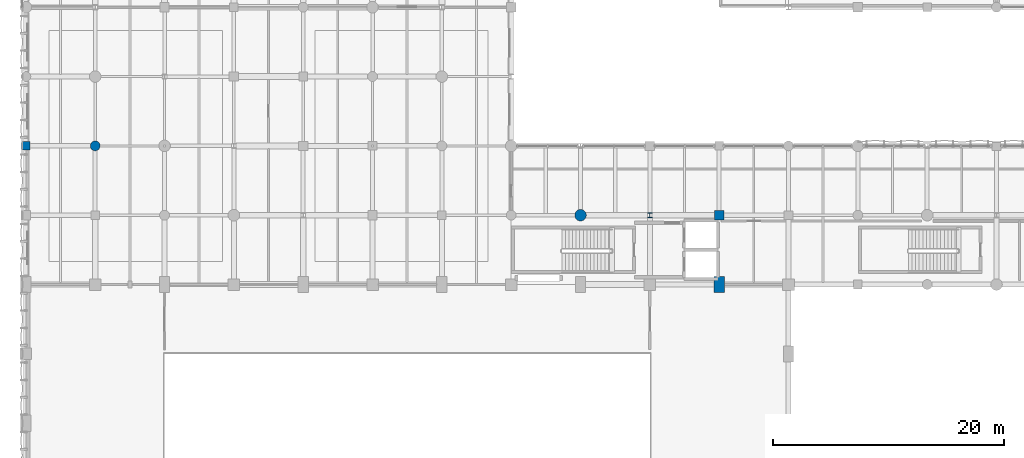
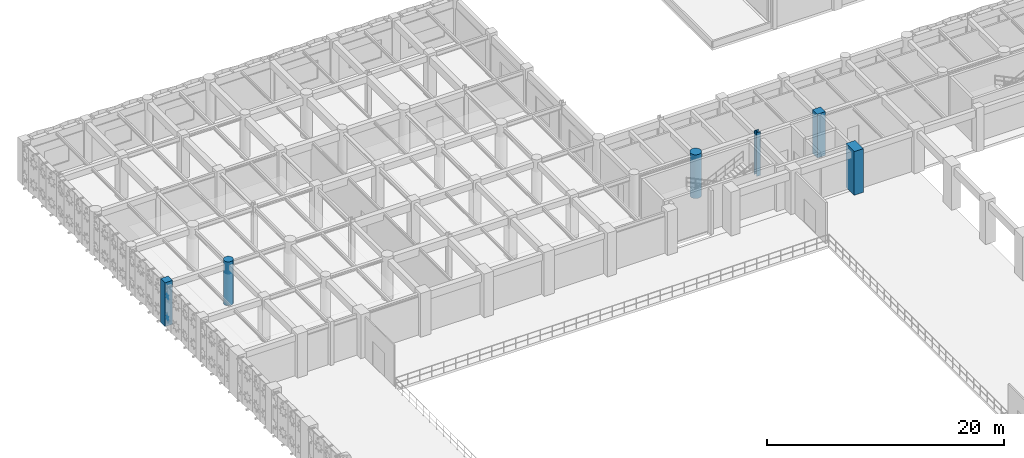
# One storey, part 8 of 133: 6 columns.
"""IFC4 building model written with IfcOpenShell, lengths in metres."""

from ifc_helpers import new_model, si_unit, direction, frame, origin, origin_2d, place, context, subcontext, project, spatial, rectangle, circle, i_section, extrude, material, material_profile, profile_set, type_object, element, save


model = new_model("IFC4")

# Units and contexts
model_context = context("Model", 3, precision=1e-05, world=origin(), true_north=direction((0.0, 1.0)))
body_context = subcontext(model_context, "Body", "Model", "MODEL_VIEW")
ifc_project = project(units=[si_unit("LENGTHUNIT", "METRE"), si_unit("AREAUNIT", "SQUARE_METRE"), si_unit("VOLUMEUNIT", "CUBIC_METRE"), si_unit("PLANEANGLEUNIT", "RADIAN"), si_unit("MASSUNIT", "GRAM", prefix="KILO"), si_unit("THERMODYNAMICTEMPERATUREUNIT", "KELVIN"), si_unit("POWERUNIT", "WATT")], contexts=[model_context])

# Site, building, storey
site_placement = place(None, origin())
site = spatial("IfcSite", under=ifc_project, at=site_placement, CompositionType="ELEMENT")
building_placement = place(site_placement, origin())
building = spatial("IfcBuilding", under=site, at=building_placement, Name="Phaisarnlok Congress Hotel", CompositionType="ELEMENT")
storey_placement = place(building_placement, frame((0.0, 0.0, 6.0)))
storey = spatial("IfcBuildingStorey", under=building, at=storey_placement, Name="L01", CompositionType="ELEMENT", Elevation=6.0)

# Columns
ifc_material_1 = material(Name="Concrete C50/60", Category="concrete")
ifc_material_profile_1 = material_profile(ifc_material_1, rectangle(XDim=0.75, YDim=0.75, at=origin_2d()), Name="RC 750x750")
ifc_profile_set_1 = profile_set([ifc_material_profile_1], Name="Concrete C50/60")
column_type_1 = type_object("IfcColumnType", Name="COL-RC-750-EXT", PredefinedType="COLUMN", material=ifc_profile_set_1)
column_1_placement = place(storey_placement, frame((0.0, 96.0, 0.0), z_axis=(0.0, 0.0, 1.0), x_axis=(1.0, 0.0, 0.0)))
element("IfcColumn", 1, at=column_1_placement, inside=storey, type_object=column_type_1, Name="Column C-06E (L01)", PredefinedType="COLUMN", context=body_context, shape_type="SweptSolid", body=[
    extrude(rectangle(XDim=0.75, YDim=0.75, at=origin_2d()), origin(), (0.0, 0.0, 1.0), 4.5),
])
ifc_material_profile_2 = material_profile(ifc_material_1, rectangle(XDim=0.800048828125, YDim=0.800048828125, at=origin_2d()), Name="RC 800x800")
ifc_profile_set_2 = profile_set([ifc_material_profile_2], Name="Concrete C50/60")
column_type_2 = type_object("IfcColumnType", Name="COL-RC-800", PredefinedType="COLUMN", material=ifc_profile_set_2)
column_2_placement = place(storey_placement, frame((60.0, 90.0, 0.0), z_axis=(0.0, 0.0, 1.0), x_axis=(1.0, 0.0, 0.0)))
element("IfcColumn", 2, at=column_2_placement, inside=storey, type_object=column_type_2, Name="Column C-07 (L01)", PredefinedType="COLUMN", context=body_context, shape_type="SweptSolid", body=[
    extrude(rectangle(XDim=0.800048828125, YDim=0.800048828125, at=origin_2d()), origin(), (0.0, 0.0, 1.0), 4.5),
])
ifc_material_profile_3 = material_profile(ifc_material_1, rectangle(XDim=0.89990234375, YDim=1.39990234375, at=origin_2d()), Name="RC 900x1400")
ifc_profile_set_3 = profile_set([ifc_material_profile_3], Name="Concrete C50/60")
column_type_3 = type_object("IfcColumnType", Name="COL-RC-900x1400", PredefinedType="COLUMN", material=ifc_profile_set_3)
column_3_placement = place(storey_placement, frame((60.0, 84.0, 0.0), z_axis=(0.0, 0.0, 1.0), x_axis=(1.0, 0.0, 0.0)))
element("IfcColumn", 3, at=column_3_placement, inside=storey, type_object=column_type_3, Name="Column C-12 (L01)", PredefinedType="COLUMN", context=body_context, shape_type="SweptSolid", body=[
    extrude(rectangle(XDim=0.89990234375, YDim=1.39990234375, at=origin_2d()), origin(), (0.0, 0.0, 1.0), 4.5),
])
ifc_material_profile_4 = material_profile(ifc_material_1, circle(Radius=0.5, at=origin_2d()), Name="RCC D1000")
ifc_profile_set_4 = profile_set([ifc_material_profile_4], Name="Concrete C50/60")
column_type_4 = type_object("IfcColumnType", Name="COL-RCC-1000", PredefinedType="COLUMN", material=ifc_profile_set_4)
column_4_placement = place(storey_placement, frame((48.0, 90.0, 0.0), z_axis=(0.0, 0.0, 1.0), x_axis=(1.0, 0.0, 0.0)))
element("IfcColumn", 4, at=column_4_placement, inside=storey, type_object=column_type_4, Name="Column C-15 (L01)", PredefinedType="COLUMN", context=body_context, shape_type="SweptSolid", body=[
    extrude(circle(Radius=0.5, at=origin_2d()), origin(), (0.0, 0.0, 1.0), 4.5),
])
ifc_material_profile_5 = material_profile(ifc_material_1, circle(Radius=0.425048828125, at=origin_2d()), Name="RCC D850")
ifc_profile_set_5 = profile_set([ifc_material_profile_5], Name="Concrete C50/60")
column_type_5 = type_object("IfcColumnType", Name="COL-RCC-850", PredefinedType="COLUMN", material=ifc_profile_set_5)
column_5_placement = place(storey_placement, frame((6.0, 96.0, 0.0), z_axis=(0.0, 0.0, 1.0), x_axis=(1.0, 0.0, 0.0)))
element("IfcColumn", 5, at=column_5_placement, inside=storey, type_object=column_type_5, Name="Column C-14 (L01)", PredefinedType="COLUMN", context=body_context, shape_type="SweptSolid", body=[
    extrude(circle(Radius=0.425048828125, at=origin_2d()), origin(), (0.0, 0.0, 1.0), 4.5),
])
ifc_material_2 = material(Name="Steel S355", Category="steel")
ifc_material_profile_6 = material_profile(ifc_material_2, i_section(OverallWidth=0.40087890625, OverallDepth=0.39892578125, WebThickness=0.0185546875, FlangeThickness=0.030029296875, FilletRadius=0.014892578125, at=origin_2d()), Name="HD 400x314")
ifc_profile_set_6 = profile_set([ifc_material_profile_6], Name="Steel S355")
column_type_6 = type_object("IfcColumnType", Name="COL-STL-HD314", PredefinedType="COLUMN", material=ifc_profile_set_6)
column_6_placement = place(storey_placement, frame((54.0, 90.0, 0.0), z_axis=(0.0, 0.0, 1.0), x_axis=(1.0, 0.0, 0.0)))
element("IfcColumn", 6, at=column_6_placement, inside=storey, type_object=column_type_6, Name="Column SC-04 (L01)", PredefinedType="COLUMN", context=body_context, shape_type="SweptSolid", body=[
    extrude(i_section(OverallWidth=0.40087890625, OverallDepth=0.39892578125, WebThickness=0.0185546875, FlangeThickness=0.030029296875, FilletRadius=0.014892578125, at=origin_2d()), origin(), (0.0, 0.0, 1.0), 4.5),
])

save(model, "model.ifc")
